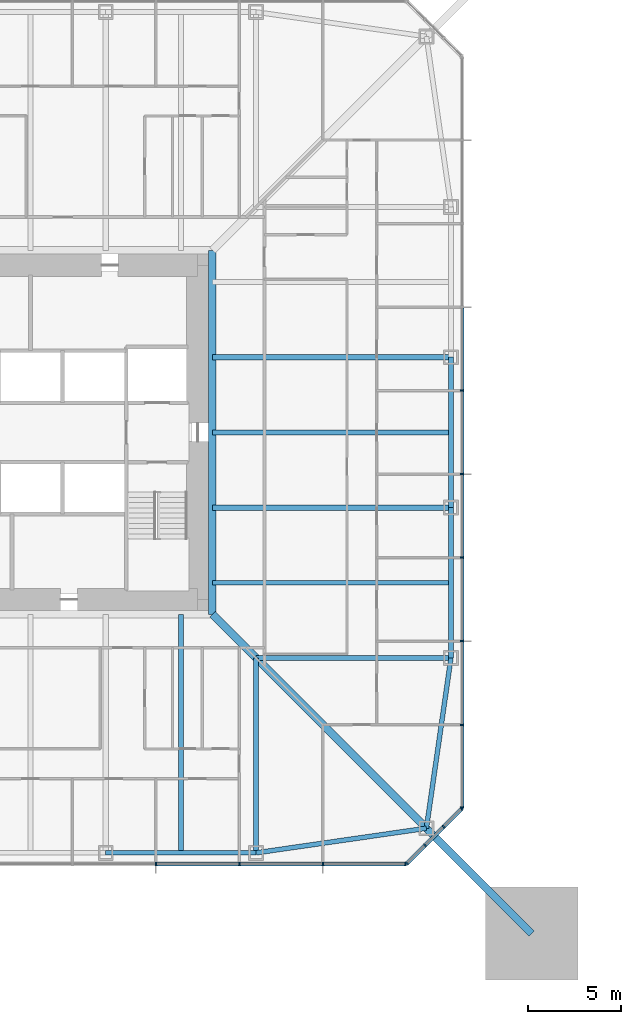
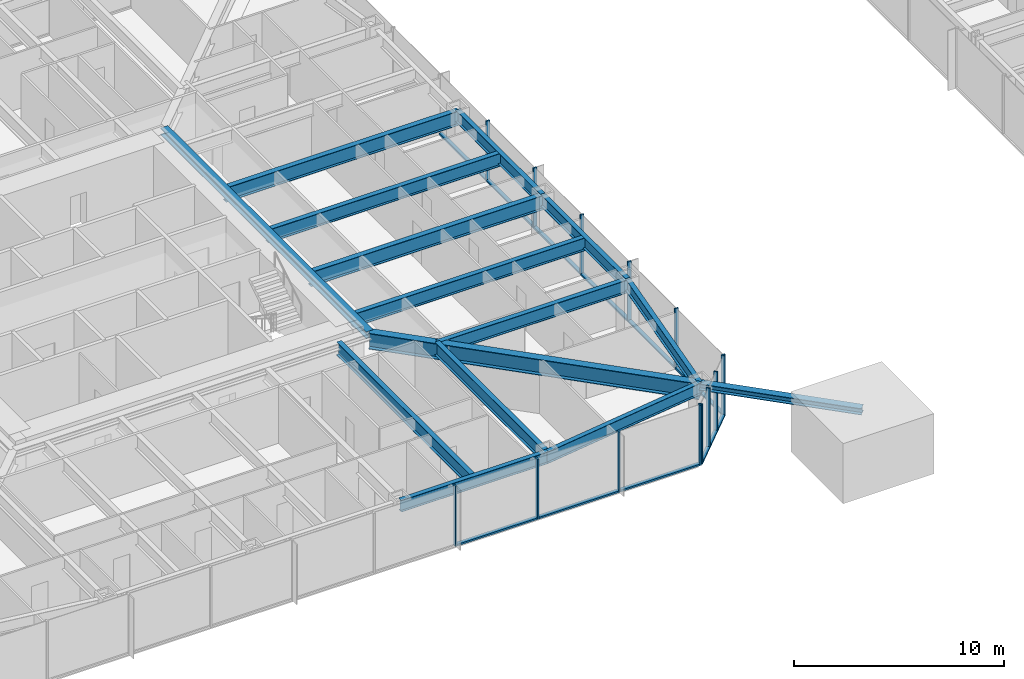
# One storey, part 5 of 26: 27 members, 14 beams, 3 elements without a shape of their own.
"""IFC4 building model written with IfcOpenShell, lengths in metres."""

from ifc_helpers import new_model, si_unit, direction, frame, origin, origin_2d, place, context, subcontext, project, spatial, rectangle, i_section, extrude, material, material_profile, profile_set, type_object, element, aggregate, save


model = new_model("IFC4")

# Units and contexts
model_context = context("Model", 3, precision=1e-05, world=origin(), true_north=direction((0.0, 1.0)))
body_context = subcontext(model_context, "Body", "Model", "MODEL_VIEW")
ifc_project = project(units=[si_unit("LENGTHUNIT", "METRE"), si_unit("AREAUNIT", "SQUARE_METRE"), si_unit("VOLUMEUNIT", "CUBIC_METRE"), si_unit("PLANEANGLEUNIT", "RADIAN"), si_unit("MASSUNIT", "GRAM", prefix="KILO")], contexts=[model_context])

# Site, building, storey
site_placement = place(None, origin())
site = spatial("IfcSite", under=ifc_project, at=site_placement, CompositionType="ELEMENT")
building_placement = place(site_placement, origin())
building = spatial("IfcBuilding", under=site, at=building_placement, Name="Iwan Alto Co-Living Towers", CompositionType="ELEMENT")
storey_placement = place(building_placement, frame((0.0, 0.0, 29.0)))
storey = spatial("IfcBuildingStorey", under=building, at=storey_placement, Name="L07", CompositionType="ELEMENT", Elevation=29.0)

# Curtain wall, members
ifc_material_1 = material(Name="Bronze aluminium unitised frame", Category="aluminium")
curtain_wall_type_1 = type_object("IfcCurtainWallType", Name="CURTAIN WALL CW-A", PredefinedType="NOTDEFINED", material=ifc_material_1)
curtain_wall_1_placement = place(storey_placement, origin())
curtain_wall_1 = element("IfcCurtainWall", 1, at=curtain_wall_1_placement, inside=storey, type_object=curtain_wall_type_1, Name="T1 curtain wall S L07", PredefinedType="NOTDEFINED")
ifc_material_2 = material(Name="Aluminium 6063-T6 bronze anodised", Category="aluminium")
ifc_material_profile_1 = material_profile(ifc_material_2, rectangle(XDim=0.199951171875, YDim=0.080078125, at=origin_2d()), Name="AL 80X200")
ifc_profile_set_1 = profile_set([ifc_material_profile_1], Name="Aluminium 6063-T6 bronze anodised")
member_type_1 = type_object("IfcMemberType", Name="CW-A MULLION 80X200", PredefinedType="MULLION", material=ifc_profile_set_1)
member_1_placement = place(storey_placement, frame((6.75, -23.25, 0.0), z_axis=(0.0, 0.0, 1.0), x_axis=(0.0, 1.0, 0.0)))
member_1 = element("IfcMember", 2, at=member_1_placement, type_object=member_type_1, Name="CW-A mullion 7", PredefinedType="MULLION", context=body_context, shape_type="SweptSolid", body=[
    extrude(rectangle(XDim=0.199951171875, YDim=0.080078125, at=origin_2d()), origin(), (0.0, 0.0, 1.0), 3.5),
])
member_2_placement = place(storey_placement, frame((11.25, -23.25, 0.0), z_axis=(0.0, 0.0, 1.0), x_axis=(0.0, 1.0, 0.0)))
member_2 = element("IfcMember", 3, at=member_2_placement, type_object=member_type_1, Name="CW-A mullion 8", PredefinedType="MULLION", context=body_context, shape_type="SweptSolid", body=[
    extrude(rectangle(XDim=0.199951171875, YDim=0.080078125, at=origin_2d()), origin(), (0.0, 0.0, 1.0), 3.5),
])
member_3_placement = place(storey_placement, frame((15.75, -23.25, 0.0), z_axis=(0.0, 0.0, 1.0), x_axis=(0.0, 1.0, 0.0)))
member_3 = element("IfcMember", 4, at=member_3_placement, type_object=member_type_1, Name="CW-A mullion 9", PredefinedType="MULLION", context=body_context, shape_type="SweptSolid", body=[
    extrude(rectangle(XDim=0.199951171875, YDim=0.080078125, at=origin_2d()), origin(), (0.0, 0.0, 1.0), 3.5),
])
member_4_placement = place(storey_placement, frame((20.2099609375, -23.25, 0.0), z_axis=(0.0, 0.0, 1.0), x_axis=(0.0, 1.0, 0.0)))
member_4 = element("IfcMember", 5, at=member_4_placement, type_object=member_type_1, Name="CW-A mullion 10", PredefinedType="MULLION", context=body_context, shape_type="SweptSolid", body=[
    extrude(rectangle(XDim=0.199951171875, YDim=0.080078125, at=origin_2d()), origin(), (0.0, 0.0, 1.0), 3.5),
])

curtain_wall_2_placement = place(storey_placement, origin())
curtain_wall_2 = element("IfcCurtainWall", 6, at=curtain_wall_2_placement, inside=storey, type_object=curtain_wall_type_1, Name="T1 curtain wall E L07", PredefinedType="NOTDEFINED")
member_5_placement = place(storey_placement, frame((23.25, -20.2099609375, 0.0), z_axis=(0.0, 0.0, 1.0), x_axis=(-1.0, 0.0, 0.0)))
member_5 = element("IfcMember", 7, at=member_5_placement, type_object=member_type_1, Name="CW-A mullion 1", PredefinedType="MULLION", context=body_context, shape_type="SweptSolid", body=[
    extrude(rectangle(XDim=0.199951171875, YDim=0.080078125, at=origin_2d()), origin(), (0.0, 0.0, 1.0), 3.5),
])
member_6_placement = place(storey_placement, frame((23.25, -15.75, 0.0), z_axis=(0.0, 0.0, 1.0), x_axis=(-1.0, 0.0, 0.0)))
member_6 = element("IfcMember", 8, at=member_6_placement, type_object=member_type_1, Name="CW-A mullion 2", PredefinedType="MULLION", context=body_context, shape_type="SweptSolid", body=[
    extrude(rectangle(XDim=0.199951171875, YDim=0.080078125, at=origin_2d()), origin(), (0.0, 0.0, 1.0), 3.5),
])
member_7_placement = place(storey_placement, frame((23.25, -11.25, 0.0), z_axis=(0.0, 0.0, 1.0), x_axis=(-1.0, 0.0, 0.0)))
member_7 = element("IfcMember", 9, at=member_7_placement, type_object=member_type_1, Name="CW-A mullion 3", PredefinedType="MULLION", context=body_context, shape_type="SweptSolid", body=[
    extrude(rectangle(XDim=0.199951171875, YDim=0.080078125, at=origin_2d()), origin(), (0.0, 0.0, 1.0), 3.5),
])
member_8_placement = place(storey_placement, frame((23.25, -6.75, 0.0), z_axis=(0.0, 0.0, 1.0), x_axis=(-1.0, 0.0, 0.0)))
member_8 = element("IfcMember", 10, at=member_8_placement, type_object=member_type_1, Name="CW-A mullion 4", PredefinedType="MULLION", context=body_context, shape_type="SweptSolid", body=[
    extrude(rectangle(XDim=0.199951171875, YDim=0.080078125, at=origin_2d()), origin(), (0.0, 0.0, 1.0), 3.5),
])
member_9_placement = place(storey_placement, frame((23.25, -2.25, 0.0), z_axis=(0.0, 0.0, 1.0), x_axis=(-1.0, 0.0, 0.0)))
member_9 = element("IfcMember", 11, at=member_9_placement, type_object=member_type_1, Name="CW-A mullion 5", PredefinedType="MULLION", context=body_context, shape_type="SweptSolid", body=[
    extrude(rectangle(XDim=0.199951171875, YDim=0.080078125, at=origin_2d()), origin(), (0.0, 0.0, 1.0), 3.5),
])
member_10_placement = place(storey_placement, frame((23.25, 2.25, 0.0), z_axis=(0.0, 0.0, 1.0), x_axis=(-1.0, 0.0, 0.0)))
member_10 = element("IfcMember", 12, at=member_10_placement, type_object=member_type_1, Name="CW-A mullion 6", PredefinedType="MULLION", context=body_context, shape_type="SweptSolid", body=[
    extrude(rectangle(XDim=0.199951171875, YDim=0.080078125, at=origin_2d()), origin(), (0.0, 0.0, 1.0), 3.5),
])

# Member
ifc_material_3 = material(Name="Aluminium 6063-T6 bronze anodised", Category="aluminium")
ifc_material_profile_2 = material_profile(ifc_material_3, rectangle(XDim=0.199951171875, YDim=0.10009765625, at=origin_2d()), Name="AL 200X100")
ifc_profile_set_2 = profile_set([ifc_material_profile_2], Name="Aluminium 6063-T6 bronze anodised")
member_type_2 = type_object("IfcMemberType", Name="CW-A TRANSOM 200X100", PredefinedType="USERDEFINED", material=ifc_profile_set_2)
member_11_placement = place(storey_placement, frame((6.7900390625, -23.25, 0.050048828125), z_axis=(1.0, 0.0, 0.0), x_axis=(0.0, 1.0, 0.0)))
member_11 = element("IfcMember", 13, at=member_11_placement, type_object=member_type_2, Name="CW-A transom 7.1", ObjectType="TRANSOM", PredefinedType="USERDEFINED", context=body_context, shape_type="SweptSolid", body=[
    extrude(rectangle(XDim=0.199951171875, YDim=0.10009765625, at=origin_2d()), origin(), (0.0, 0.0, 1.0), 4.419921875),
])

member_12_placement = place(storey_placement, frame((11.2900390625, -23.25, 0.050048828125), z_axis=(1.0, 0.0, 0.0), x_axis=(0.0, 1.0, 0.0)))
member_12 = element("IfcMember", 14, at=member_12_placement, type_object=member_type_2, Name="CW-A transom 8.1", ObjectType="TRANSOM", PredefinedType="USERDEFINED", context=body_context, shape_type="SweptSolid", body=[
    extrude(rectangle(XDim=0.199951171875, YDim=0.10009765625, at=origin_2d()), origin(), (0.0, 0.0, 1.0), 4.419921875),
])

member_13_placement = place(storey_placement, frame((15.7900390625, -23.25, 0.050048828125), z_axis=(1.0, 0.0, 0.0), x_axis=(0.0, 1.0, 0.0)))
member_13 = element("IfcMember", 15, at=member_13_placement, type_object=member_type_2, Name="CW-A transom 9.1", ObjectType="TRANSOM", PredefinedType="USERDEFINED", context=body_context, shape_type="SweptSolid", body=[
    extrude(rectangle(XDim=0.199951171875, YDim=0.10009765625, at=origin_2d()), origin(), (0.0, 0.0, 1.0), 4.3798828125),
])

aggregate(curtain_wall_1, [member_1, member_2, member_3, member_4, member_11, member_12, member_13])

member_14_placement = place(storey_placement, frame((23.25, -20.169921875, 0.050048828125), z_axis=(0.0, 1.0, 0.0), x_axis=(-1.0, 0.0, 0.0)))
member_14 = element("IfcMember", 16, at=member_14_placement, type_object=member_type_2, Name="CW-A transom 1.1", ObjectType="TRANSOM", PredefinedType="USERDEFINED", context=body_context, shape_type="SweptSolid", body=[
    extrude(rectangle(XDim=0.199951171875, YDim=0.10009765625, at=origin_2d()), origin(), (0.0, 0.0, 1.0), 4.3798828125),
])

member_15_placement = place(storey_placement, frame((23.25, -15.7099609375, 0.050048828125), z_axis=(0.0, 1.0, 0.0), x_axis=(-1.0, 0.0, 0.0)))
member_15 = element("IfcMember", 17, at=member_15_placement, type_object=member_type_2, Name="CW-A transom 2.1", ObjectType="TRANSOM", PredefinedType="USERDEFINED", context=body_context, shape_type="SweptSolid", body=[
    extrude(rectangle(XDim=0.199951171875, YDim=0.10009765625, at=origin_2d()), origin(), (0.0, 0.0, 1.0), 4.419921875),
])

member_16_placement = place(storey_placement, frame((23.25, -11.2099609375, 0.050048828125), z_axis=(0.0, 1.0, 0.0), x_axis=(-1.0, 0.0, 0.0)))
member_16 = element("IfcMember", 18, at=member_16_placement, type_object=member_type_2, Name="CW-A transom 3.1", ObjectType="TRANSOM", PredefinedType="USERDEFINED", context=body_context, shape_type="SweptSolid", body=[
    extrude(rectangle(XDim=0.199951171875, YDim=0.10009765625, at=origin_2d()), origin(), (0.0, 0.0, 1.0), 4.419921875),
])

member_17_placement = place(storey_placement, frame((23.25, -6.7099609375, 0.050048828125), z_axis=(0.0, 1.0, 0.0), x_axis=(-1.0, 0.0, 0.0)))
member_17 = element("IfcMember", 19, at=member_17_placement, type_object=member_type_2, Name="CW-A transom 4.1", ObjectType="TRANSOM", PredefinedType="USERDEFINED", context=body_context, shape_type="SweptSolid", body=[
    extrude(rectangle(XDim=0.199951171875, YDim=0.10009765625, at=origin_2d()), origin(), (0.0, 0.0, 1.0), 4.419921875),
])

member_18_placement = place(storey_placement, frame((23.25, -2.2099609375, 0.050048828125), z_axis=(0.0, 1.0, 0.0), x_axis=(-1.0, 0.0, 0.0)))
member_18 = element("IfcMember", 20, at=member_18_placement, type_object=member_type_2, Name="CW-A transom 5.1", ObjectType="TRANSOM", PredefinedType="USERDEFINED", context=body_context, shape_type="SweptSolid", body=[
    extrude(rectangle(XDim=0.199951171875, YDim=0.10009765625, at=origin_2d()), origin(), (0.0, 0.0, 1.0), 4.419921875),
])

member_19_placement = place(storey_placement, frame((23.25, 2.2900390625, 0.050048828125), z_axis=(0.0, 1.0, 0.0), x_axis=(-1.0, 0.0, 0.0)))
member_19 = element("IfcMember", 21, at=member_19_placement, type_object=member_type_2, Name="CW-A transom 6.1", ObjectType="TRANSOM", PredefinedType="USERDEFINED", context=body_context, shape_type="SweptSolid", body=[
    extrude(rectangle(XDim=0.199951171875, YDim=0.10009765625, at=origin_2d()), origin(), (0.0, 0.0, 1.0), 4.419921875),
])

aggregate(curtain_wall_2, [member_5, member_6, member_7, member_8, member_9, member_10, member_14, member_15, member_16, member_17, member_18, member_19])

# Curtain wall, members
ifc_material_4 = material(Name="Bronze aluminium unitised frame", Category="aluminium")
curtain_wall_type_2 = type_object("IfcCurtainWallType", Name="CURTAIN WALL CW-B", PredefinedType="NOTDEFINED", material=ifc_material_4)
curtain_wall_3_placement = place(storey_placement, origin())
curtain_wall_3 = element("IfcCurtainWall", 22, at=curtain_wall_3_placement, inside=storey, type_object=curtain_wall_type_2, Name="T1 chamfer curtain wall SE L07", PredefinedType="NOTDEFINED")
ifc_material_5 = material(Name="Aluminium 6063-T6 bronze anodised", Category="aluminium")
ifc_material_profile_3 = material_profile(ifc_material_5, rectangle(XDim=0.199951171875, YDim=0.080078125, at=origin_2d()), Name="AL 80X200")
ifc_profile_set_3 = profile_set([ifc_material_profile_3], Name="Aluminium 6063-T6 bronze anodised")
member_type_3 = type_object("IfcMemberType", Name="CW-B MULLION 80X200", PredefinedType="MULLION", material=ifc_profile_set_3)
member_20_placement = place(storey_placement, frame((20.2783203125, -23.2216796875, 0.0), z_axis=(0.0, 0.0, 1.0), x_axis=(-0.707106781187, 0.707106781187, 0.0)))
member_20 = element("IfcMember", 23, at=member_20_placement, type_object=member_type_3, Name="CW-B mullion 1", PredefinedType="MULLION", context=body_context, shape_type="SweptSolid", body=[
    extrude(rectangle(XDim=0.199951171875, YDim=0.080078125, at=origin_2d()), origin(), (0.0, 0.0, 1.0), 3.5),
])
member_21_placement = place(storey_placement, frame((21.25, -22.25, 0.0), z_axis=(0.0, 0.0, 1.0), x_axis=(-0.707106781187, 0.707106781187, 0.0)))
member_21 = element("IfcMember", 24, at=member_21_placement, type_object=member_type_3, Name="CW-B mullion 2", PredefinedType="MULLION", context=body_context, shape_type="SweptSolid", body=[
    extrude(rectangle(XDim=0.199951171875, YDim=0.080078125, at=origin_2d()), origin(), (0.0, 0.0, 1.0), 3.5),
])
member_22_placement = place(storey_placement, frame((22.25, -21.25, 0.0), z_axis=(0.0, 0.0, 1.0), x_axis=(-0.707106781187, 0.707106781187, 0.0)))
member_22 = element("IfcMember", 25, at=member_22_placement, type_object=member_type_3, Name="CW-B mullion 3", PredefinedType="MULLION", context=body_context, shape_type="SweptSolid", body=[
    extrude(rectangle(XDim=0.199951171875, YDim=0.080078125, at=origin_2d()), origin(), (0.0, 0.0, 1.0), 3.5),
])
member_23_placement = place(storey_placement, frame((23.2216796875, -20.2783203125, 0.0), z_axis=(0.0, 0.0, 1.0), x_axis=(-0.707106781187, 0.707106781187, 0.0)))
member_23 = element("IfcMember", 26, at=member_23_placement, type_object=member_type_3, Name="CW-B mullion 4", PredefinedType="MULLION", context=body_context, shape_type="SweptSolid", body=[
    extrude(rectangle(XDim=0.199951171875, YDim=0.080078125, at=origin_2d()), origin(), (0.0, 0.0, 1.0), 3.5),
])
ifc_material_6 = material(Name="Aluminium 6063-T6 bronze anodised", Category="aluminium")
ifc_material_profile_4 = material_profile(ifc_material_6, rectangle(XDim=0.199951171875, YDim=0.10009765625, at=origin_2d()), Name="AL 200X100")
ifc_profile_set_4 = profile_set([ifc_material_profile_4], Name="Aluminium 6063-T6 bronze anodised")
member_type_4 = type_object("IfcMemberType", Name="CW-B TRANSOM 200X100", PredefinedType="USERDEFINED", material=ifc_profile_set_4)
member_24_placement = place(storey_placement, frame((20.306640625, -23.193359375, 0.050048828125), z_axis=(0.707106781187, 0.707106781187, 0.0), x_axis=(-0.707106781187, 0.707106781187, 0.0)))
member_24 = element("IfcMember", 27, at=member_24_placement, type_object=member_type_4, Name="CW-B transom 1.1", ObjectType="TRANSOM", PredefinedType="USERDEFINED", context=body_context, shape_type="SweptSolid", body=[
    extrude(rectangle(XDim=0.199951171875, YDim=0.10009765625, at=origin_2d()), origin(), (0.0, 0.0, 1.0), 1.2939453125),
])
member_25_placement = place(storey_placement, frame((21.2783203125, -22.2216796875, 0.050048828125), z_axis=(0.707106781187, 0.707106781187, 0.0), x_axis=(-0.707106781187, 0.707106781187, 0.0)))
member_25 = element("IfcMember", 28, at=member_25_placement, type_object=member_type_4, Name="CW-B transom 2.1", ObjectType="TRANSOM", PredefinedType="USERDEFINED", context=body_context, shape_type="SweptSolid", body=[
    extrude(rectangle(XDim=0.199951171875, YDim=0.10009765625, at=origin_2d()), origin(), (0.0, 0.0, 1.0), 1.334228515625),
])
member_26_placement = place(storey_placement, frame((22.2783203125, -21.2216796875, 0.050048828125), z_axis=(0.707106781187, 0.707106781187, 0.0), x_axis=(-0.707106781187, 0.707106781187, 0.0)))
member_26 = element("IfcMember", 29, at=member_26_placement, type_object=member_type_4, Name="CW-B transom 3.1", ObjectType="TRANSOM", PredefinedType="USERDEFINED", context=body_context, shape_type="SweptSolid", body=[
    extrude(rectangle(XDim=0.199951171875, YDim=0.10009765625, at=origin_2d()), origin(), (0.0, 0.0, 1.0), 1.2939453125),
])
aggregate(curtain_wall_3, [member_20, member_21, member_22, member_23, member_24, member_25, member_26])

# Beams
ifc_material_7 = material(Name="Steel ASTM A992 Gr 50", Category="steel")
ifc_material_profile_5 = material_profile(ifc_material_7, i_section(OverallWidth=0.40380859375, OverallDepth=0.406494140625, WebThickness=0.027099609375, FlangeThickness=0.043701171875, at=origin_2d()), Name="W14X233")
ifc_profile_set_5 = profile_set([ifc_material_profile_5], Name="Steel ASTM A992 Gr 50")
beam_type_1 = type_object("IfcBeamType", Name="T1 CORE LEDGER BEAM W14X233", PredefinedType="BEAM", material=ifc_profile_set_5)
beam_1_placement = place(storey_placement, frame((9.802001953125, -9.802001953125, 3.06689453125), z_axis=(0.0, 1.0, 0.0), x_axis=(-1.0, 0.0, 0.0)))
element("IfcBeam", 30, at=beam_1_placement, inside=storey, type_object=beam_type_1, Name="T1 core ledger beam E L08", PredefinedType="BEAM", context=body_context, shape_type="SweptSolid", body=[
    extrude(i_section(OverallWidth=0.40380859375, OverallDepth=0.406494140625, WebThickness=0.027099609375, FlangeThickness=0.043701171875, at=origin_2d()), origin(), (0.0, 0.0, 1.0), 19.60400390625),
])
ifc_material_8 = material(Name="Steel ASTM A992 Gr 50", Category="steel")
ifc_material_profile_6 = material_profile(ifc_material_8, i_section(OverallWidth=0.419189453125, OverallDepth=0.927001953125, WebThickness=0.019287109375, FlangeThickness=0.031982421875, at=origin_2d()), Name="W36X231")
ifc_profile_set_6 = profile_set([ifc_material_profile_6], Name="Steel ASTM A992 Gr 50")
beam_type_2 = type_object("IfcBeamType", Name="T1 CORNER GIRDER W36X231", PredefinedType="BEAM", material=ifc_profile_set_6)
beam_2_placement = place(storey_placement, frame((21.32568359375, -21.32568359375, 2.806396484375), z_axis=(-0.707106781187, 0.707106781187, 0.0), x_axis=(-0.707106781187, -0.707106781187, 0.0)))
element("IfcBeam", 31, at=beam_2_placement, inside=storey, type_object=beam_type_2, Name="T1 corner girder CSE L08", PredefinedType="BEAM", context=body_context, shape_type="SweptSolid", body=[
    extrude(i_section(OverallWidth=0.419189453125, OverallDepth=0.927001953125, WebThickness=0.019287109375, FlangeThickness=0.031982421875, at=origin_2d()), origin(), (0.0, 0.0, 1.0), 16.296875),
])
ifc_material_9 = material(Name="Steel ASTM A992 Gr 50", Category="steel")
ifc_material_profile_7 = material_profile(ifc_material_9, i_section(OverallWidth=0.25390625, OverallDepth=0.683349609375, WebThickness=0.012451171875, FlangeThickness=0.018798828125, at=origin_2d()), Name="W27X94")
ifc_profile_set_7 = profile_set([ifc_material_profile_7], Name="Steel ASTM A992 Gr 50")
beam_type_3 = type_object("IfcBeamType", Name="T1 EDGE BEAM W27X94", PredefinedType="BEAM", material=ifc_profile_set_7)
beam_3_placement = place(storey_placement, frame((4.050048828125, -22.64990234375, 2.928466796875), z_axis=(1.0, 0.0, 0.0), x_axis=(0.0, 1.0, 0.0)))
element("IfcBeam", 32, at=beam_3_placement, inside=storey, type_object=beam_type_3, Name="T1 edge beam S3 L08", PredefinedType="BEAM", context=body_context, shape_type="SweptSolid", body=[
    extrude(i_section(OverallWidth=0.25390625, OverallDepth=0.683349609375, WebThickness=0.012451171875, FlangeThickness=0.018798828125, at=origin_2d()), origin(), (0.0, 0.0, 1.0), 8.099853515625),
])
for number, where, z_axis, x_axis, name in (
    (33, (12.14990234375, -22.64990234375, 2.928466796875), (0.989746234347, 0.142836940589, 0.0), (-0.142836940589, 0.989746234347, 0.0), "T1 edge beam S4 L08"),
    (34, (21.32568359375, -21.32568359375, 2.928466796875), (0.142836940589, 0.989746234347, 0.0), (-0.989746234347, 0.142836940589, 0.0), "T1 edge beam CSE L08"),
):
    element("IfcBeam", number, at=place(storey_placement, frame(where, z_axis=z_axis, x_axis=x_axis)), inside=storey, type_object=beam_type_3, Name=name, PredefinedType="BEAM", context=body_context, shape_type="SweptSolid", body=[
        extrude(i_section(OverallWidth=0.25390625, OverallDepth=0.683349609375, WebThickness=0.012451171875, FlangeThickness=0.018798828125, at=origin_2d()), origin(), (0.0, 0.0, 1.0), 9.270751953125),
    ])
beam_4_placement = place(storey_placement, frame((22.64990234375, -12.14990234375, 2.928466796875), z_axis=(0.0, 1.0, 0.0), x_axis=(-1.0, 0.0, 0.0)))
element("IfcBeam", 35, at=beam_4_placement, inside=storey, type_object=beam_type_3, Name="T1 edge beam E1 L08", PredefinedType="BEAM", context=body_context, shape_type="SweptSolid", body=[
    extrude(i_section(OverallWidth=0.25390625, OverallDepth=0.683349609375, WebThickness=0.012451171875, FlangeThickness=0.018798828125, at=origin_2d()), origin(), (0.0, 0.0, 1.0), 8.099853515625),
])
beam_5_placement = place(storey_placement, frame((22.64990234375, -4.050048828125, 2.928466796875), z_axis=(0.0, 1.0, 0.0), x_axis=(-1.0, 0.0, 0.0)))
element("IfcBeam", 36, at=beam_5_placement, inside=storey, type_object=beam_type_3, Name="T1 edge beam E2 L08", PredefinedType="BEAM", context=body_context, shape_type="SweptSolid", body=[
    extrude(i_section(OverallWidth=0.25390625, OverallDepth=0.683349609375, WebThickness=0.012451171875, FlangeThickness=0.018798828125, at=origin_2d()), origin(), (0.0, 0.0, 1.0), 8.10009765625),
])

# Member
ifc_material_10 = material(Name="Steel ASTM A992 Gr 50", Category="steel")
ifc_material_profile_8 = material_profile(ifc_material_10, i_section(OverallWidth=0.393798828125, OverallDepth=0.3759765625, WebThickness=0.017333984375, FlangeThickness=0.027587890625, at=origin_2d()), Name="W14X145")
ifc_profile_set_8 = profile_set([ifc_material_profile_8], Name="Steel ASTM A992 Gr 50")
member_type_5 = type_object("IfcMemberType", Name="T1 MEGA COLUMN FLOOR TIE W14X145", PredefinedType="STRUT", material=ifc_profile_set_8)
member_27_placement = place(storey_placement, frame((27.0, -27.0, 3.08203125), z_axis=(-0.707106781187, 0.707106781187, 0.0), x_axis=(-0.707106781187, -0.707106781187, 0.0)))
element("IfcMember", 37, at=member_27_placement, inside=storey, type_object=member_type_5, Name="T1 mega column floor tie SE L08", PredefinedType="STRUT", context=body_context, shape_type="SweptSolid", body=[
    extrude(i_section(OverallWidth=0.393798828125, OverallDepth=0.3759765625, WebThickness=0.017333984375, FlangeThickness=0.027587890625, at=origin_2d()), origin(), (0.0, 0.0, 1.0), 8.024658203125),
])

# Beams
ifc_material_11 = material(Name="Steel ASTM A992 Gr 50", Category="steel")
ifc_material_profile_9 = material_profile(ifc_material_11, i_section(OverallWidth=0.2666015625, OverallDepth=0.761962890625, WebThickness=0.014404296875, FlangeThickness=0.021484375, at=origin_2d()), Name="W30X116")
ifc_profile_set_9 = profile_set([ifc_material_profile_9], Name="Steel ASTM A992 Gr 50")
beam_type_4 = type_object("IfcBeamType", Name="T1 RADIAL BEAM W30X116", PredefinedType="BEAM", material=ifc_profile_set_9)
for number, where, z_axis, x_axis, name in (
    (38, (12.14990234375, -22.64990234375, 2.888916015625), (0.0, 1.0, 0.0), (-1.0, 0.0, 0.0), "T1 radial beam S4 L08"),
    (39, (22.64990234375, -12.14990234375, 2.888916015625), (-1.0, 0.0, 0.0), (0.0, -1.0, 0.0), "T1 radial beam E1 L08"),
):
    element("IfcBeam", number, at=place(storey_placement, frame(where, z_axis=z_axis, x_axis=x_axis)), inside=storey, type_object=beam_type_4, Name=name, PredefinedType="BEAM", context=body_context, shape_type="SweptSolid", body=[
        extrude(i_section(OverallWidth=0.2666015625, OverallDepth=0.761962890625, WebThickness=0.014404296875, FlangeThickness=0.021484375, at=origin_2d()), origin(), (0.0, 0.0, 1.0), 10.5),
    ])
ifc_material_12 = material(Name="Steel ASTM A992 Gr 50", Category="steel")
ifc_material_profile_10 = material_profile(ifc_material_12, i_section(OverallWidth=0.2919921875, OverallDepth=0.8408203125, WebThickness=0.0146484375, FlangeThickness=0.021728515625, at=origin_2d()), Name="W33X130")
ifc_profile_set_10 = profile_set([ifc_material_profile_10], Name="Steel ASTM A992 Gr 50")
beam_type_5 = type_object("IfcBeamType", Name="T1 RADIAL BEAM W33X130", PredefinedType="BEAM", material=ifc_profile_set_10)
for number, where, z_axis, x_axis, name in (
    (40, (22.64990234375, -4.050048828125, 2.849609375), (-1.0, 0.0, 0.0), (0.0, -1.0, 0.0), "T1 radial beam E2 L08"),
    (41, (22.64990234375, 4.050048828125, 2.849609375), (-1.0, 0.0, 0.0), (0.0, -1.0, 0.0), "T1 radial beam E3 L08"),
):
    element("IfcBeam", number, at=place(storey_placement, frame(where, z_axis=z_axis, x_axis=x_axis)), inside=storey, type_object=beam_type_5, Name=name, PredefinedType="BEAM", context=body_context, shape_type="SweptSolid", body=[
        extrude(i_section(OverallWidth=0.2919921875, OverallDepth=0.8408203125, WebThickness=0.0146484375, FlangeThickness=0.021728515625, at=origin_2d()), origin(), (0.0, 0.0, 1.0), 12.847900390625),
    ])
ifc_material_13 = material(Name="Steel ASTM A992 Gr 50", Category="steel")
ifc_material_profile_11 = material_profile(ifc_material_13, i_section(OverallWidth=0.2666015625, OverallDepth=0.761962890625, WebThickness=0.014404296875, FlangeThickness=0.021484375, at=origin_2d()), Name="W30X116")
ifc_profile_set_11 = profile_set([ifc_material_profile_11], Name="Steel ASTM A992 Gr 50")
beam_type_6 = type_object("IfcBeamType", Name="T1 SECONDARY BEAM W30X116", PredefinedType="JOIST", material=ifc_profile_set_11)
for number, where, z_axis, x_axis, name in (
    (42, (8.10009765625, -22.64990234375, 2.888916015625), (0.0, 1.0, 0.0), (-1.0, 0.0, 0.0), "T1 secondary beam S3 L08"),
    (43, (22.64990234375, -8.10009765625, 2.888916015625), (-1.0, 0.0, 0.0), (0.0, -1.0, 0.0), "T1 secondary beam E1 L08"),
    (44, (22.64990234375, 0.0, 2.888916015625), (-1.0, 0.0, 0.0), (0.0, -1.0, 0.0), "T1 secondary beam E2 L08"),
):
    element("IfcBeam", number, at=place(storey_placement, frame(where, z_axis=z_axis, x_axis=x_axis)), inside=storey, type_object=beam_type_6, Name=name, PredefinedType="JOIST", context=body_context, shape_type="SweptSolid", body=[
        extrude(i_section(OverallWidth=0.2666015625, OverallDepth=0.761962890625, WebThickness=0.014404296875, FlangeThickness=0.021484375, at=origin_2d()), origin(), (0.0, 0.0, 1.0), 12.847900390625),
    ])

save(model, "model.ifc")
